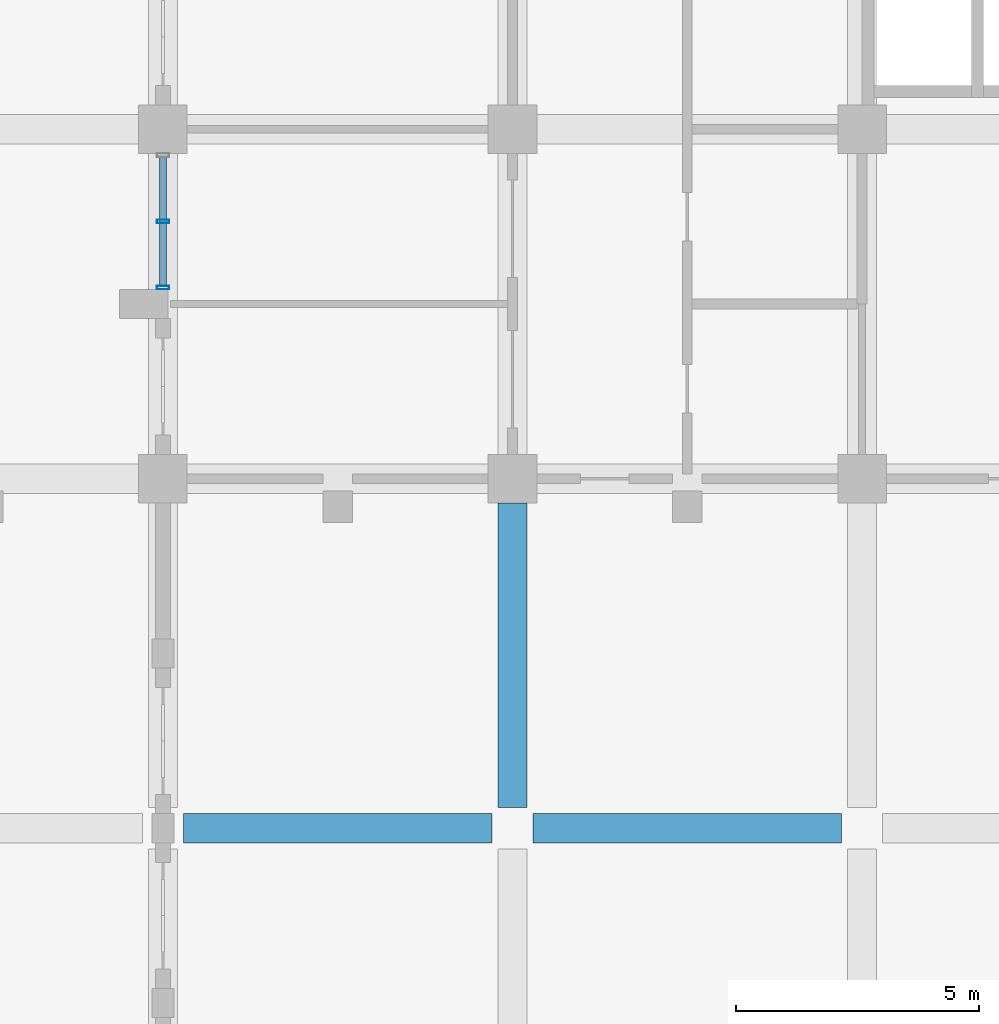
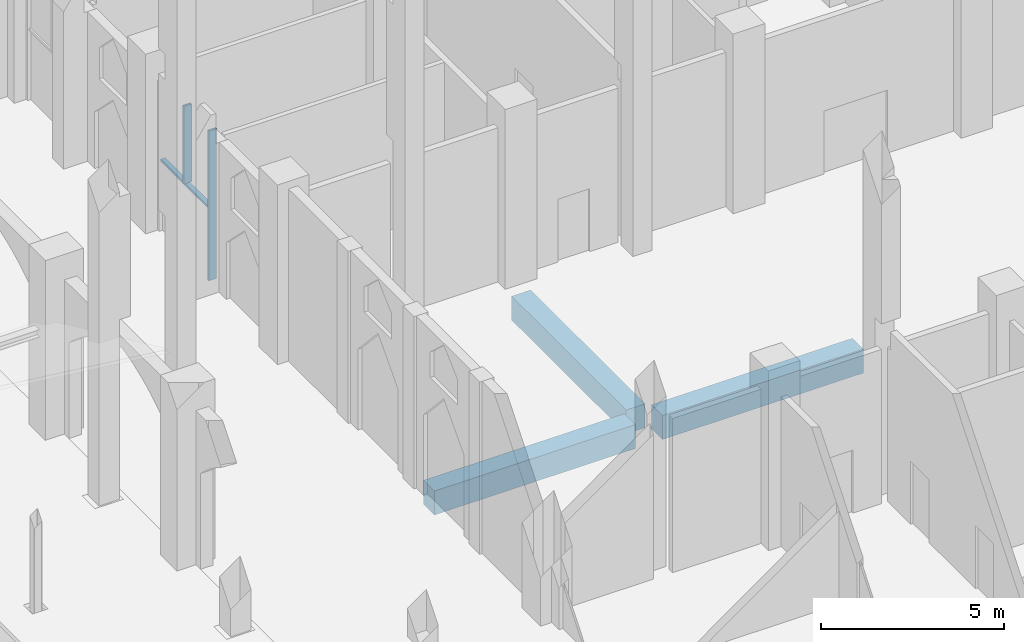
# One storey, part 10 of 50: 3 beams, 3 members, 1 element without a shape of its own.
"""IFC4 building model written with IfcOpenShell, lengths in metres."""

from ifc_helpers import new_model, si_unit, direction, frame, origin, origin_2d, place, context, subcontext, project, spatial, rectangle, hollow_rectangle, extrude, material, material_profile, profile_set, type_object, element, aggregate, save


model = new_model("IFC4")

# Units and contexts
model_context = context("Model", 3, precision=1e-05, world=origin(), true_north=direction((0.0, 1.0)))
body_context = subcontext(model_context, "Body", "Model", "MODEL_VIEW")
ifc_project = project(units=[si_unit("LENGTHUNIT", "METRE"), si_unit("AREAUNIT", "SQUARE_METRE"), si_unit("VOLUMEUNIT", "CUBIC_METRE"), si_unit("PLANEANGLEUNIT", "RADIAN"), si_unit("MASSUNIT", "GRAM", prefix="KILO")], contexts=[model_context])

# Site, building, storey
site_placement = place(None, origin())
site = spatial("IfcSite", under=ifc_project, at=site_placement, CompositionType="ELEMENT")
building_placement = place(site_placement, origin())
building = spatial("IfcBuilding", under=site, at=building_placement, Name="Silangan Lancet Faculty of Sciences", CompositionType="ELEMENT")
storey_placement = place(building_placement, origin())
storey = spatial("IfcBuildingStorey", under=building, at=storey_placement, Name="L00", CompositionType="ELEMENT", Elevation=0.0)

# Beams
ifc_material_1 = material(Name="Concrete C40/50", Category="concrete")
ifc_material_profile_1 = material_profile(ifc_material_1, rectangle(XDim=0.60009765625, YDim=0.800048828125, at=origin_2d()), Name="RC 600x800")
ifc_profile_set_1 = profile_set([ifc_material_profile_1], Name="Concrete C40/50")
beam_type = type_object("IfcBeamType", Name="BEAM RC 600x800", PredefinedType="BEAM", material=ifc_profile_set_1)
for number, where, z_axis, x_axis, name in (
    (1, (7.625, 28.800048828125, -0.699951171875), (1.0, 0.0, 0.0), (0.0, 1.0, 0.0), "BM-L00-2E-3E"),
    (2, (14.824951171875, 28.800048828125, -0.699951171875), (1.0, 0.0, 0.0), (0.0, 1.0, 0.0), "BM-L00-3E-4E"),
):
    element("IfcBeam", number, at=place(storey_placement, frame(where, z_axis=z_axis, x_axis=x_axis)), inside=storey, type_object=beam_type, Name=name, PredefinedType="BEAM", context=body_context, shape_type="SweptSolid", body=[
        extrude(rectangle(XDim=0.60009765625, YDim=0.800048828125, at=origin_2d()), origin(), (0.0, 0.0, 1.0), 6.35009765625),
    ])
beam_placement = place(storey_placement, frame((14.39990234375, 29.22509765625, -0.699951171875), z_axis=(0.0, 1.0, 0.0), x_axis=(-1.0, 0.0, 0.0)))
element("IfcBeam", 3, at=beam_placement, inside=storey, type_object=beam_type, Name="BM-L00-3E-3F", PredefinedType="BEAM", context=body_context, shape_type="SweptSolid", body=[
    extrude(rectangle(XDim=0.60009765625, YDim=0.800048828125, at=origin_2d()), origin(), (0.0, 0.0, 1.0), 6.27490234375),
])

# Curtain wall, members
ifc_material_2 = material(Name="Aluminium framed curtain wall with insulated glass", Category="aluminium")
curtain_wall_type = type_object("IfcCurtainWallType", Name="CW4 Arcade shop front glazing", PredefinedType="NOTDEFINED", material=ifc_material_2)
curtain_wall_placement = place(storey_placement, origin())
curtain_wall = element("IfcCurtainWall", 4, at=curtain_wall_placement, inside=storey, type_object=curtain_wall_type, Name="CW4 Shop front north L00 bay 2", PredefinedType="NOTDEFINED")
ifc_material_3 = material(Name="Aluminium 6063-T6 extrusion", Category="aluminium")
ifc_material_profile_2 = material_profile(ifc_material_3, hollow_rectangle(XDim=0.074951171875, YDim=0.25, WallThickness=0.006103515625, at=origin_2d()), Name="AL BOX 75x250x6")
ifc_profile_set_2 = profile_set([ifc_material_profile_2], Name="Aluminium 6063-T6 extrusion")
member_type_1 = type_object("IfcMemberType", Name="CM3 Mullion 75x250", PredefinedType="MULLION", material=ifc_profile_set_2)
member_1_placement = place(storey_placement, frame((7.199951171875, 39.9375, 0.0), z_axis=(0.0, 0.0, 1.0), x_axis=(0.0, 1.0, 0.0)))
member_1 = element("IfcMember", 5, at=member_1_placement, type_object=member_type_1, Name="CW4 Shop front north L00 bay 2 mullion 1", PredefinedType="MULLION", context=body_context, shape_type="SweptSolid", body=[
    extrude(hollow_rectangle(XDim=0.074951171875, YDim=0.25, WallThickness=0.006103515625, at=origin_2d()), origin(), (0.0, 0.0, 1.0), 5.0),
])
member_2_placement = place(storey_placement, frame((7.199951171875, 41.300048828125, 2.39990234375), z_axis=(0.0, 0.0, 1.0), x_axis=(0.0, 1.0, 0.0)))
member_2 = element("IfcMember", 6, at=member_2_placement, type_object=member_type_1, Name="CW4 Shop front north L00 bay 2 mullion 3", PredefinedType="MULLION", context=body_context, shape_type="SweptSolid", body=[
    extrude(hollow_rectangle(XDim=0.074951171875, YDim=0.25, WallThickness=0.006103515625, at=origin_2d()), origin(), (0.0, 0.0, 1.0), 2.60009765625),
])
ifc_material_4 = material(Name="Aluminium 6063-T6 extrusion", Category="aluminium")
ifc_material_profile_3 = material_profile(ifc_material_4, hollow_rectangle(XDim=0.14990234375, YDim=0.074951171875, WallThickness=0.0029296875, at=origin_2d()), Name="AL BOX 150x75x3")
ifc_profile_set_3 = profile_set([ifc_material_profile_3], Name="Aluminium 6063-T6 extrusion")
member_type_2 = type_object("IfcMemberType", Name="CT4 Transom 150x75", PredefinedType="USERDEFINED", material=ifc_profile_set_3)
member_3_placement = place(storey_placement, frame((7.199951171875, 39.97509765625, 2.362548828125), z_axis=(0.0, 1.0, 0.0), x_axis=(-1.0, 0.0, 0.0)))
member_3 = element("IfcMember", 7, at=member_3_placement, type_object=member_type_2, Name="CW4 Shop front north L00 bay 2 transom 1", ObjectType="TRANSOM", PredefinedType="USERDEFINED", context=body_context, shape_type="SweptSolid", body=[
    extrude(hollow_rectangle(XDim=0.14990234375, YDim=0.074951171875, WallThickness=0.0029296875, at=origin_2d()), origin(), (0.0, 0.0, 1.0), 2.64990234375),
])
aggregate(curtain_wall, [member_1, member_2, member_3])

save(model, "model.ifc")
